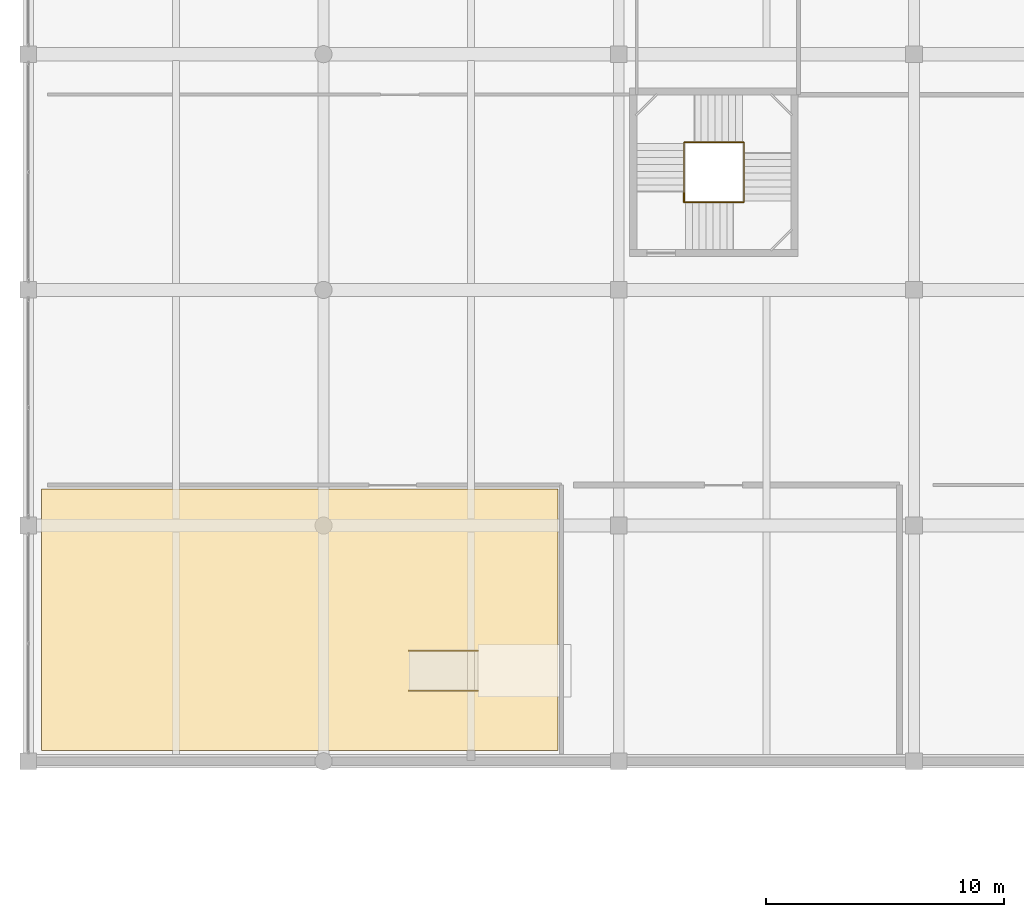
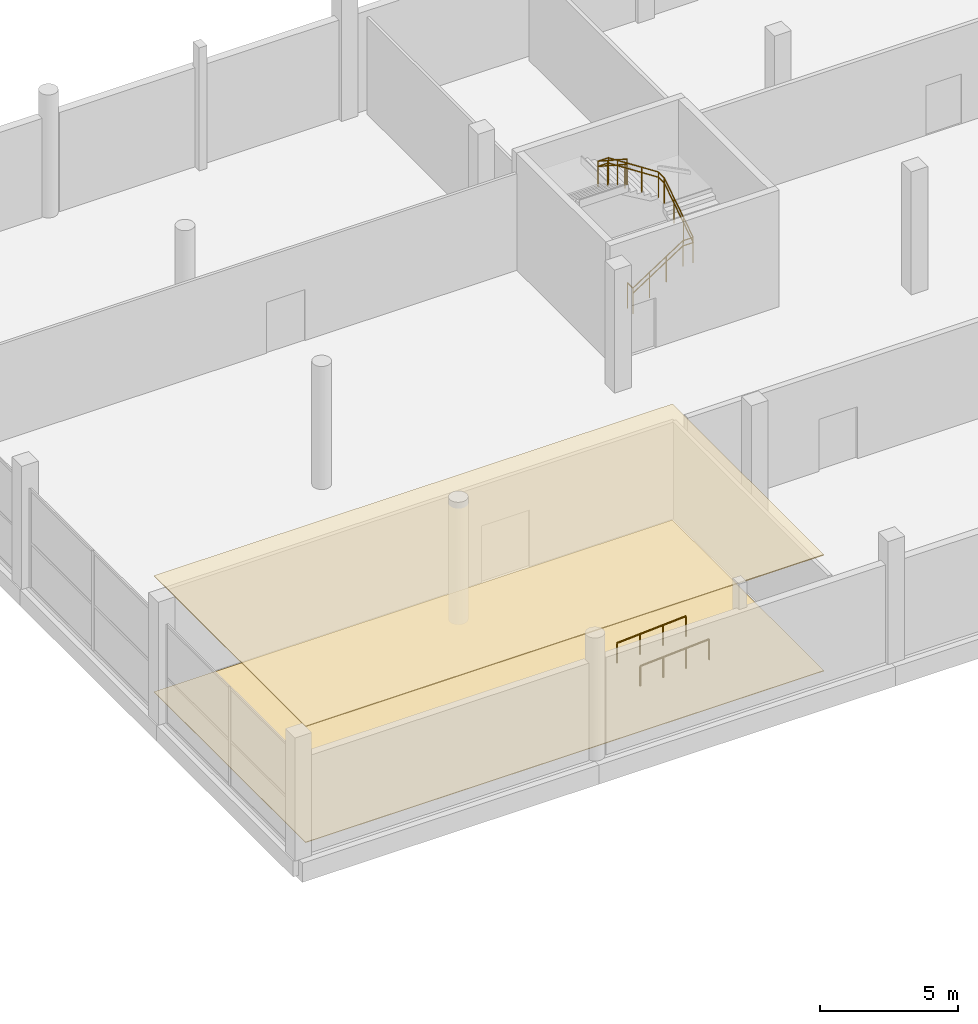
# One storey, part 70 of 72: 5 railings, 2 coverings.
"""IFC4 building model written with IfcOpenShell, lengths in metres."""

from ifc_helpers import new_model, si_unit, direction, frame, origin, origin_2d, place, context, subcontext, project, spatial, polyline, circle, outline, extrude, material, layer, layer_set, type_object, element, save


model = new_model("IFC4")

# Units and contexts
model_context = context("Model", 3, precision=1e-05, world=origin(), true_north=direction((0.0, 1.0)))
body_context = subcontext(model_context, "Body", "Model", "MODEL_VIEW")
ifc_project = project(units=[si_unit("LENGTHUNIT", "METRE"), si_unit("AREAUNIT", "SQUARE_METRE"), si_unit("VOLUMEUNIT", "CUBIC_METRE"), si_unit("PLANEANGLEUNIT", "RADIAN"), si_unit("MASSUNIT", "GRAM", prefix="KILO")], contexts=[model_context])

# Site, building, storey
site_placement = place(None, origin())
site = spatial("IfcSite", under=ifc_project, at=site_placement, CompositionType="ELEMENT")
building_placement = place(site_placement, origin())
building = spatial("IfcBuilding", under=site, at=building_placement, Name="Sillaruma Civic Art Gallery", CompositionType="ELEMENT")
storey_placement = place(building_placement, frame((0.0, 0.0, 10.8798828125)))
storey = spatial("IfcBuildingStorey", under=building, at=storey_placement, Name="L02", CompositionType="ELEMENT", Elevation=10.8798828125)

# Coverings
ifc_material_1 = material(Name="Andean Oak Timber", Category="wood")
ifc_layer_1 = layer(ifc_material_1, 0.0400390625, Name="Andean Oak Timber")
ifc_layer_set_1 = layer_set([ifc_layer_1], Name="Andean Oak Timber")
covering_type_1 = type_object("IfcCoveringType", Name="COV-CLG-40", PredefinedType="CEILING", material=ifc_layer_set_1)
covering_1_placement = place(storey_placement, frame((0.0, 0.0, 5.1201171875)))
element("IfcCovering", 1, at=covering_1_placement, inside=storey, type_object=covering_type_1, Name="Acoustic Gallery Ceiling (L02-AUD)", PredefinedType="CEILING", context=body_context, shape_type="SweptSolid", body=[
    extrude(outline(polyline([(0.56005859375, 79.659912109375), (22.239990234375, 79.659912109375), (22.239990234375, 90.639892578125), (0.56005859375, 90.639892578125), (0.56005859375, 79.659912109375)])), origin(), (0.0, 0.0, 1.0), 0.0400390625),
])
ifc_material_2 = material(Name="Polished Terrazzo", Category="masonry")
ifc_layer_2 = layer(ifc_material_2, 0.02490234375, Name="Polished Terrazzo")
ifc_layer_set_2 = layer_set([ifc_layer_2], Name="Polished Terrazzo")
covering_type_2 = type_object("IfcCoveringType", Name="COV-FLR-25", PredefinedType="FLOORING", material=ifc_layer_set_2)
covering_2_placement = place(storey_placement, origin())
element("IfcCovering", 2, at=covering_2_placement, inside=storey, type_object=covering_type_2, Name="Gallery Stone Terrazzo Flooring (L02-AUD)", PredefinedType="FLOORING", context=body_context, shape_type="SweptSolid", body=[
    extrude(outline(polyline([(0.56005859375, 79.659912109375), (22.239990234375, 79.659912109375), (22.239990234375, 90.639892578125), (0.56005859375, 90.639892578125), (0.56005859375, 79.659912109375)])), origin(), (0.0, 0.0, 1.0), 0.025146484375),
])

# Railings
ifc_material_3 = material(Name="Stainless Steel AISI 316", Category="steel")
railing_type_1 = type_object("IfcRailingType", Name="RAL-BAL-1150", PredefinedType="BALUSTRADE", material=ifc_material_3)
railing_1_placement = place(storey_placement, frame((27.5400390625, 102.679931640625, 0.0)))
element("IfcRailing", 3, at=railing_1_placement, inside=storey, type_object=railing_type_1, Name="Stair Floor Edge Guard (ST-01:L02)", PredefinedType="BALUSTRADE", context=body_context, shape_type="SweptSolid", body=[
    extrude(circle(Radius=0.02392578125, at=origin_2d()), frame((0.0, 0.0, 1.1259765625), z_axis=(0.0, 1.0, 0.0), x_axis=(-1.0, 0.0, 0.0)), (0.0, 0.0, 1.0), 0.39013671875),
    extrude(circle(Radius=0.02099609375, at=origin_2d()), origin(), (0.0, 0.0, 1.0), 1.101806640625),
    extrude(circle(Radius=0.02099609375, at=origin_2d()), frame((0.0, 0.39013671875, 0.0)), (0.0, 0.0, 1.0), 1.101806640625),
])
railing_2_placement = place(storey_placement, frame((27.5400390625, 102.679931640625, 0.0)))
element("IfcRailing", 4, at=railing_2_placement, inside=storey, type_object=railing_type_1, Name="Stair Well Balustrade (ST-01-L02)", PredefinedType="BALUSTRADE", context=body_context, shape_type="SweptSolid", body=[
    extrude(circle(Radius=0.02392578125, at=origin_2d()), frame((0.0, 0.0, 1.1259765625), z_axis=(0.838130295786, 0.0, 0.545470079185), x_axis=(0.0, 1.0, 0.0)), (0.0, 0.0, 1.0), 2.493408203125),
    extrude(circle(Radius=0.02392578125, at=origin_2d()), frame((2.08984375, 0.0, 2.48583984375), z_axis=(1.0, 0.0, 0.0), x_axis=(0.0, 1.0, 0.0)), (0.0, 0.0, 1.0), 0.43017578125),
    extrude(circle(Radius=0.02392578125, at=origin_2d()), frame((2.52001953125, 0.0, 2.48583984375), z_axis=(0.0, 0.838159424827, 0.545425318971), x_axis=(-1.0, 0.0, 0.0)), (0.0, 0.0, 1.0), 2.49365234375),
    extrude(circle(Radius=0.02392578125, at=origin_2d()), frame((2.52001953125, 2.090087890625, 3.84619140625), z_axis=(0.0, 1.0, 0.0), x_axis=(-1.0, 0.0, 0.0)), (0.0, 0.0, 1.0), 0.429931640625),
    extrude(circle(Radius=0.02392578125, at=origin_2d()), frame((2.52001953125, 2.52001953125, 3.84619140625), z_axis=(-0.838204181713, 0.0, 0.545356534534), x_axis=(0.0, -1.0, 0.0)), (0.0, 0.0, 1.0), 2.49365234375),
    extrude(circle(Radius=0.02392578125, at=origin_2d()), frame((0.429931640625, 2.52001953125, 5.2060546875), z_axis=(-1.0, 0.0, 0.0), x_axis=(0.0, -1.0, 0.0)), (0.0, 0.0, 1.0), 0.429931640625),
    extrude(circle(Radius=0.02392578125, at=origin_2d()), frame((0.0, 2.52001953125, 5.2060546875), z_axis=(0.0, -0.838130295786, 0.545470079185), x_axis=(1.0, 0.0, 0.0)), (0.0, 0.0, 1.0), 2.493408203125),
    extrude(circle(Radius=0.02099609375, at=origin_2d()), origin(), (0.0, 0.0, 1.0), 1.101806640625),
    extrude(circle(Radius=0.02099609375, at=origin_2d()), frame((0.696533203125, 0.0, 0.453369140625)), (0.0, 0.0, 1.0), 1.101806640625),
    extrude(circle(Radius=0.02099609375, at=origin_2d()), frame((1.393310546875, 0.0, 0.90673828125)), (0.0, 0.0, 1.0), 1.101806640625),
    extrude(circle(Radius=0.02099609375, at=origin_2d()), frame((2.08984375, 0.0, 1.360107421875)), (0.0, 0.0, 1.0), 1.101806640625),
    extrude(circle(Radius=0.02099609375, at=origin_2d()), frame((2.52001953125, 0.0, 1.360107421875)), (0.0, 0.0, 1.0), 1.101806640625),
    extrude(circle(Radius=0.02099609375, at=origin_2d()), frame((2.52001953125, 0.69677734375, 1.8134765625)), (0.0, 0.0, 1.0), 1.101806640625),
    extrude(circle(Radius=0.02099609375, at=origin_2d()), frame((2.52001953125, 1.393310546875, 2.266845703125)), (0.0, 0.0, 1.0), 1.101806640625),
    extrude(circle(Radius=0.02099609375, at=origin_2d()), frame((2.52001953125, 2.090087890625, 2.72021484375)), (0.0, 0.0, 1.0), 1.101806640625),
    extrude(circle(Radius=0.02099609375, at=origin_2d()), frame((2.52001953125, 2.52001953125, 2.72021484375)), (0.0, 0.0, 1.0), 1.101806640625),
    extrude(circle(Radius=0.02099609375, at=origin_2d()), frame((1.8232421875, 2.52001953125, 3.173583984375)), (0.0, 0.0, 1.0), 1.101806640625),
    extrude(circle(Radius=0.02099609375, at=origin_2d()), frame((1.126708984375, 2.52001953125, 3.626708984375)), (0.0, 0.0, 1.0), 1.101806640625),
    extrude(circle(Radius=0.02099609375, at=origin_2d()), frame((0.429931640625, 2.52001953125, 4.080078125)), (0.0, 0.0, 1.0), 1.101806640625),
    extrude(circle(Radius=0.02099609375, at=origin_2d()), frame((0.0, 2.52001953125, 4.080078125)), (0.0, 0.0, 1.0), 1.101806640625),
    extrude(circle(Radius=0.02099609375, at=origin_2d()), frame((0.0, 1.823486328125, 4.533447265625)), (0.0, 0.0, 1.0), 1.101806640625),
    extrude(circle(Radius=0.02099609375, at=origin_2d()), frame((0.0, 1.126708984375, 4.98681640625)), (0.0, 0.0, 1.0), 1.101806640625),
    extrude(circle(Radius=0.02099609375, at=origin_2d()), frame((0.0, 0.43017578125, 5.440185546875)), (0.0, 0.0, 1.0), 1.101806640625),
])
railing_type_2 = type_object("IfcRailingType", Name="RAL-HND-920", PredefinedType="HANDRAIL", material=ifc_material_3)
for number, where, name in (
    (5, (16.0, 82.159912109375, 0.0), "Learning Auditorium Accessible Stage Ramp RMP-G02 Handrail 1"),
    (6, (16.0, 83.840087890625, 0.0), "Learning Auditorium Accessible Stage Ramp RMP-G02 Handrail 2"),
):
    element("IfcRailing", number, at=place(storey_placement, frame(where)), inside=storey, type_object=railing_type_2, Name=name, PredefinedType="HANDRAIL", context=body_context, shape_type="SweptSolid", body=[
        extrude(circle(Radius=0.02392578125, at=origin_2d()), frame((0.0, 0.0, 0.89599609375), z_axis=(0.998048625863, 0.0, 0.062441495921), x_axis=(0.0, 1.0, 0.0)), (0.0, 0.0, 1.0), 2.885498046875),
        extrude(circle(Radius=0.02099609375, at=origin_2d()), origin(), (0.0, 0.0, 1.0), 0.871826171875),
        extrude(circle(Radius=0.02099609375, at=origin_2d()), frame((0.9599609375, 0.0, 0.06005859375)), (0.0, 0.0, 1.0), 0.871826171875),
        extrude(circle(Radius=0.02099609375, at=origin_2d()), frame((1.919921875, 0.0, 0.1201171875)), (0.0, 0.0, 1.0), 0.871826171875),
        extrude(circle(Radius=0.02099609375, at=origin_2d()), frame((2.8798828125, 0.0, 0.18017578125)), (0.0, 0.0, 1.0), 0.871826171875),
    ])
railing_3_placement = place(storey_placement, frame((27.5400390625, 102.679931640625, 0.0)))
element("IfcRailing", 7, at=railing_3_placement, inside=storey, type_object=railing_type_2, Name="Stair Continuous Handrail (ST-01-L02)", PredefinedType="HANDRAIL", context=body_context, shape_type="SweptSolid", body=[
    extrude(circle(Radius=0.02392578125, at=origin_2d()), frame((0.0, 0.0, 0.89599609375), z_axis=(0.838130295786, 0.0, 0.545470079185), x_axis=(0.0, 1.0, 0.0)), (0.0, 0.0, 1.0), 2.493408203125),
    extrude(circle(Radius=0.02392578125, at=origin_2d()), frame((2.08984375, 0.0, 2.255859375), z_axis=(1.0, 0.0, 0.0), x_axis=(0.0, 1.0, 0.0)), (0.0, 0.0, 1.0), 0.43017578125),
    extrude(circle(Radius=0.02392578125, at=origin_2d()), frame((2.52001953125, 0.0, 2.255859375), z_axis=(0.0, 0.838159424827, 0.545425318971), x_axis=(-1.0, 0.0, 0.0)), (0.0, 0.0, 1.0), 2.49365234375),
    extrude(circle(Radius=0.02392578125, at=origin_2d()), frame((2.52001953125, 2.090087890625, 3.6162109375), z_axis=(0.0, 1.0, 0.0), x_axis=(-1.0, 0.0, 0.0)), (0.0, 0.0, 1.0), 0.429931640625),
    extrude(circle(Radius=0.02392578125, at=origin_2d()), frame((2.52001953125, 2.52001953125, 3.6162109375), z_axis=(-0.838204181713, 0.0, 0.545356534534), x_axis=(0.0, -1.0, 0.0)), (0.0, 0.0, 1.0), 2.49365234375),
    extrude(circle(Radius=0.02392578125, at=origin_2d()), frame((0.429931640625, 2.52001953125, 4.97607421875), z_axis=(-1.0, 0.0, 0.0), x_axis=(0.0, -1.0, 0.0)), (0.0, 0.0, 1.0), 0.429931640625),
    extrude(circle(Radius=0.02392578125, at=origin_2d()), frame((0.0, 2.52001953125, 4.97607421875), z_axis=(0.0, -0.838130295786, 0.545470079185), x_axis=(1.0, 0.0, 0.0)), (0.0, 0.0, 1.0), 2.493408203125),
    extrude(circle(Radius=0.02099609375, at=origin_2d()), origin(), (0.0, 0.0, 1.0), 0.871826171875),
    extrude(circle(Radius=0.02099609375, at=origin_2d()), frame((0.696533203125, 0.0, 0.453369140625)), (0.0, 0.0, 1.0), 0.871826171875),
    extrude(circle(Radius=0.02099609375, at=origin_2d()), frame((1.393310546875, 0.0, 0.90673828125)), (0.0, 0.0, 1.0), 0.871826171875),
    extrude(circle(Radius=0.02099609375, at=origin_2d()), frame((2.08984375, 0.0, 1.360107421875)), (0.0, 0.0, 1.0), 0.871826171875),
    extrude(circle(Radius=0.02099609375, at=origin_2d()), frame((2.52001953125, 0.0, 1.360107421875)), (0.0, 0.0, 1.0), 0.871826171875),
    extrude(circle(Radius=0.02099609375, at=origin_2d()), frame((2.52001953125, 0.69677734375, 1.8134765625)), (0.0, 0.0, 1.0), 0.871826171875),
    extrude(circle(Radius=0.02099609375, at=origin_2d()), frame((2.52001953125, 1.393310546875, 2.266845703125)), (0.0, 0.0, 1.0), 0.871826171875),
    extrude(circle(Radius=0.02099609375, at=origin_2d()), frame((2.52001953125, 2.090087890625, 2.72021484375)), (0.0, 0.0, 1.0), 0.871826171875),
    extrude(circle(Radius=0.02099609375, at=origin_2d()), frame((2.52001953125, 2.52001953125, 2.72021484375)), (0.0, 0.0, 1.0), 0.871826171875),
    extrude(circle(Radius=0.02099609375, at=origin_2d()), frame((1.8232421875, 2.52001953125, 3.173583984375)), (0.0, 0.0, 1.0), 0.871826171875),
    extrude(circle(Radius=0.02099609375, at=origin_2d()), frame((1.126708984375, 2.52001953125, 3.626708984375)), (0.0, 0.0, 1.0), 0.871826171875),
    extrude(circle(Radius=0.02099609375, at=origin_2d()), frame((0.429931640625, 2.52001953125, 4.080078125)), (0.0, 0.0, 1.0), 0.871826171875),
    extrude(circle(Radius=0.02099609375, at=origin_2d()), frame((0.0, 2.52001953125, 4.080078125)), (0.0, 0.0, 1.0), 0.871826171875),
    extrude(circle(Radius=0.02099609375, at=origin_2d()), frame((0.0, 1.823486328125, 4.533447265625)), (0.0, 0.0, 1.0), 0.871826171875),
    extrude(circle(Radius=0.02099609375, at=origin_2d()), frame((0.0, 1.126708984375, 4.98681640625)), (0.0, 0.0, 1.0), 0.871826171875),
    extrude(circle(Radius=0.02099609375, at=origin_2d()), frame((0.0, 0.43017578125, 5.440185546875)), (0.0, 0.0, 1.0), 0.871826171875),
])

save(model, "model.ifc")
